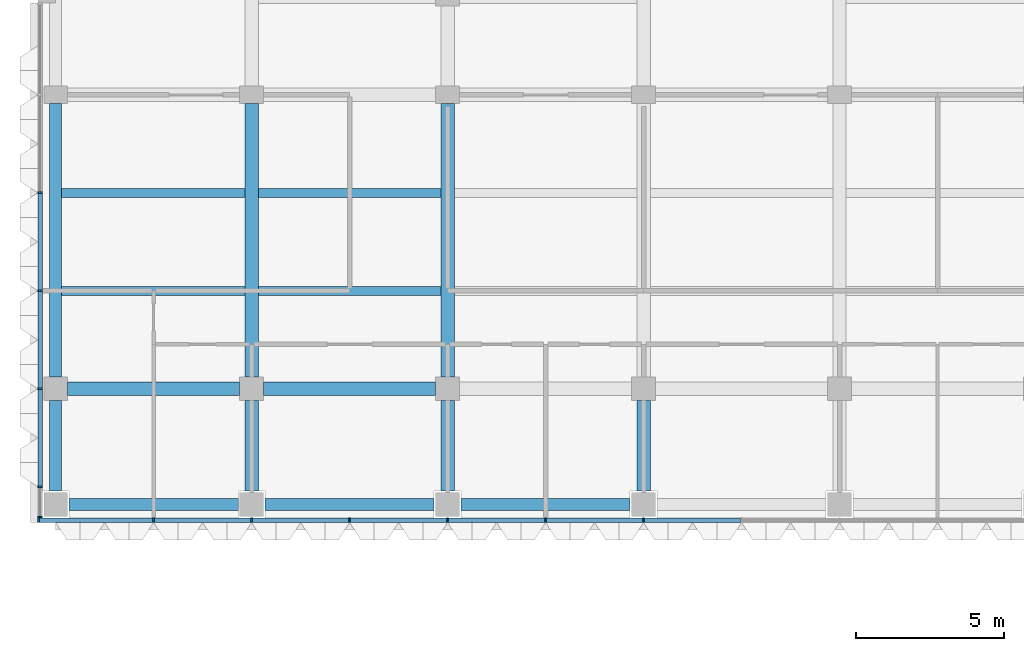
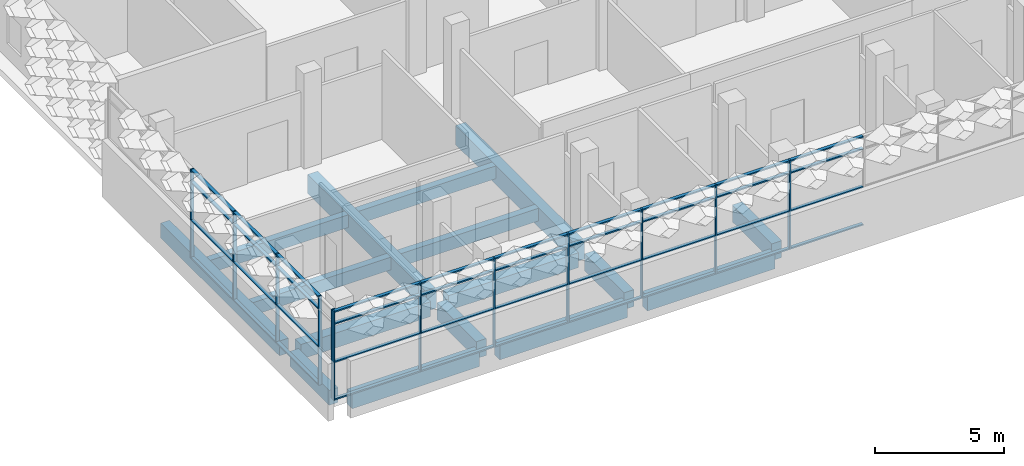
# One storey, part 2 of 102: 52 members, 16 beams, 2 elements without a shape of their own.
"""IFC4 building model written with IfcOpenShell, lengths in metres."""

from ifc_helpers import new_model, si_unit, direction, frame, origin, origin_2d, place, context, subcontext, project, spatial, rectangle, extrude, material, material_profile, profile_set, type_object, element, aggregate, save


model = new_model("IFC4")

# Units and contexts
model_context = context("Model", 3, precision=1e-05, world=origin(), true_north=direction((0.0, 1.0)))
body_context = subcontext(model_context, "Body", "Model", "MODEL_VIEW")
ifc_project = project(units=[si_unit("LENGTHUNIT", "METRE"), si_unit("AREAUNIT", "SQUARE_METRE"), si_unit("VOLUMEUNIT", "CUBIC_METRE"), si_unit("PLANEANGLEUNIT", "RADIAN"), si_unit("MASSUNIT", "GRAM", prefix="KILO")], contexts=[model_context])

# Site, building, storey
site_placement = place(None, origin())
site = spatial("IfcSite", under=ifc_project, at=site_placement, CompositionType="ELEMENT")
building_placement = place(site_placement, origin())
building = spatial("IfcBuilding", under=site, at=building_placement, Name="Lantern Court Research Institute", CompositionType="ELEMENT")
storey_placement = place(building_placement, frame((0.0, 0.0, 9.89990234375)))
storey = spatial("IfcBuildingStorey", under=building, at=storey_placement, Name="L02", CompositionType="ELEMENT", Elevation=9.89990234375)

# Curtain wall, members
ifc_material_1 = material(Name="Aluminium alloy 6063-T6", Category="aluminium")
curtain_wall_type_1 = type_object("IfcCurtainWallType", Name="Curtain wall 52800 x 4200 x 150 aluminium frame", PredefinedType="NOTDEFINED", material=ifc_material_1)
curtain_wall_1_placement = place(storey_placement, origin())
curtain_wall_1 = element("IfcCurtainWall", 1, at=curtain_wall_1_placement, inside=storey, type_object=curtain_wall_type_1, Name="Curtain wall CW041", PredefinedType="NOTDEFINED")
ifc_material_2 = material(Name="Aluminium alloy 6063-T6", Category="aluminium")
ifc_material_profile_1 = material_profile(ifc_material_2, rectangle(XDim=0.14990234375, YDim=0.06005859375, at=origin_2d()), Name="Mullion 150 x 60")
ifc_profile_set_1 = profile_set([ifc_material_profile_1], Name="Aluminium alloy 6063-T6")
member_type_1 = type_object("IfcMemberType", Name="Mullion 150 x 60 aluminium", PredefinedType="MULLION", material=ifc_profile_set_1)
member_1_placement = place(storey_placement, frame((-0.570068359375, -4.425048828125, 0.0), z_axis=(0.0, 0.0, 1.0), x_axis=(0.0, -1.0, 0.0)))
member_1 = element("IfcMember", 2, at=member_1_placement, type_object=member_type_1, Name="CW041 mullion 1", PredefinedType="MULLION", context=body_context, shape_type="SweptSolid", body=[
    extrude(rectangle(XDim=0.14990234375, YDim=0.06005859375, at=origin_2d()), origin(), (0.0, 0.0, 1.0), 4.2001953125),
])
member_2_placement = place(storey_placement, frame((3.300048828125, -4.425048828125, 0.0), z_axis=(0.0, 0.0, 1.0), x_axis=(0.0, -1.0, 0.0)))
member_2 = element("IfcMember", 3, at=member_2_placement, type_object=member_type_1, Name="CW041 mullion 2", PredefinedType="MULLION", context=body_context, shape_type="SweptSolid", body=[
    extrude(rectangle(XDim=0.14990234375, YDim=0.06005859375, at=origin_2d()), origin(), (0.0, 0.0, 1.0), 4.2001953125),
])
member_3_placement = place(storey_placement, frame((6.60009765625, -4.425048828125, 0.0), z_axis=(0.0, 0.0, 1.0), x_axis=(0.0, -1.0, 0.0)))
member_3 = element("IfcMember", 4, at=member_3_placement, type_object=member_type_1, Name="CW041 mullion 3", PredefinedType="MULLION", context=body_context, shape_type="SweptSolid", body=[
    extrude(rectangle(XDim=0.14990234375, YDim=0.06005859375, at=origin_2d()), origin(), (0.0, 0.0, 1.0), 4.2001953125),
])
member_4_placement = place(storey_placement, frame((9.89990234375, -4.425048828125, 0.0), z_axis=(0.0, 0.0, 1.0), x_axis=(0.0, -1.0, 0.0)))
member_4 = element("IfcMember", 5, at=member_4_placement, type_object=member_type_1, Name="CW041 mullion 4", PredefinedType="MULLION", context=body_context, shape_type="SweptSolid", body=[
    extrude(rectangle(XDim=0.14990234375, YDim=0.06005859375, at=origin_2d()), origin(), (0.0, 0.0, 1.0), 4.2001953125),
])
member_5_placement = place(storey_placement, frame((13.199951171875, -4.425048828125, 0.0), z_axis=(0.0, 0.0, 1.0), x_axis=(0.0, -1.0, 0.0)))
member_5 = element("IfcMember", 6, at=member_5_placement, type_object=member_type_1, Name="CW041 mullion 5", PredefinedType="MULLION", context=body_context, shape_type="SweptSolid", body=[
    extrude(rectangle(XDim=0.14990234375, YDim=0.06005859375, at=origin_2d()), origin(), (0.0, 0.0, 1.0), 4.2001953125),
])
member_6_placement = place(storey_placement, frame((16.5, -4.425048828125, 0.0), z_axis=(0.0, 0.0, 1.0), x_axis=(0.0, -1.0, 0.0)))
member_6 = element("IfcMember", 7, at=member_6_placement, type_object=member_type_1, Name="CW041 mullion 6", PredefinedType="MULLION", context=body_context, shape_type="SweptSolid", body=[
    extrude(rectangle(XDim=0.14990234375, YDim=0.06005859375, at=origin_2d()), origin(), (0.0, 0.0, 1.0), 4.2001953125),
])
member_7_placement = place(storey_placement, frame((19.800048828125, -4.425048828125, 0.0), z_axis=(0.0, 0.0, 1.0), x_axis=(0.0, -1.0, 0.0)))
member_7 = element("IfcMember", 8, at=member_7_placement, type_object=member_type_1, Name="CW041 mullion 7", PredefinedType="MULLION", context=body_context, shape_type="SweptSolid", body=[
    extrude(rectangle(XDim=0.14990234375, YDim=0.06005859375, at=origin_2d()), origin(), (0.0, 0.0, 1.0), 4.2001953125),
])

ifc_material_3 = material(Name="Aluminium alloy 6063-T6", Category="aluminium")
curtain_wall_type_2 = type_object("IfcCurtainWallType", Name="Curtain wall 17350 x 4200 x 150 aluminium frame", PredefinedType="NOTDEFINED", material=ifc_material_3)
curtain_wall_2_placement = place(storey_placement, origin())
curtain_wall_2 = element("IfcCurtainWall", 9, at=curtain_wall_2_placement, inside=storey, type_object=curtain_wall_type_2, Name="Curtain wall CW042", PredefinedType="NOTDEFINED")
member_8_placement = place(storey_placement, frame((-0.52490234375, -4.320068359375, 0.0), z_axis=(0.0, 0.0, 1.0), x_axis=(-1.0, 0.0, 0.0)))
member_8 = element("IfcMember", 10, at=member_8_placement, type_object=member_type_1, Name="CW042 mullion 1", PredefinedType="MULLION", context=body_context, shape_type="SweptSolid", body=[
    extrude(rectangle(XDim=0.14990234375, YDim=0.06005859375, at=origin_2d()), origin(), (0.0, 0.0, 1.0), 4.2001953125),
])
member_9_placement = place(storey_placement, frame((-0.52490234375, -3.300048828125, 0.0), z_axis=(0.0, 0.0, 1.0), x_axis=(-1.0, 0.0, 0.0)))
member_9 = element("IfcMember", 11, at=member_9_placement, type_object=member_type_1, Name="CW042 mullion 2", PredefinedType="MULLION", context=body_context, shape_type="SweptSolid", body=[
    extrude(rectangle(XDim=0.14990234375, YDim=0.06005859375, at=origin_2d()), origin(), (0.0, 0.0, 1.0), 4.2001953125),
])
member_10_placement = place(storey_placement, frame((-0.52490234375, 0.0, 0.0), z_axis=(0.0, 0.0, 1.0), x_axis=(-1.0, 0.0, 0.0)))
member_10 = element("IfcMember", 12, at=member_10_placement, type_object=member_type_1, Name="CW042 mullion 3", PredefinedType="MULLION", context=body_context, shape_type="SweptSolid", body=[
    extrude(rectangle(XDim=0.14990234375, YDim=0.06005859375, at=origin_2d()), origin(), (0.0, 0.0, 1.0), 4.2001953125),
])
member_11_placement = place(storey_placement, frame((-0.52490234375, 3.300048828125, 0.0), z_axis=(0.0, 0.0, 1.0), x_axis=(-1.0, 0.0, 0.0)))
member_11 = element("IfcMember", 13, at=member_11_placement, type_object=member_type_1, Name="CW042 mullion 4", PredefinedType="MULLION", context=body_context, shape_type="SweptSolid", body=[
    extrude(rectangle(XDim=0.14990234375, YDim=0.06005859375, at=origin_2d()), origin(), (0.0, 0.0, 1.0), 4.2001953125),
])
member_12_placement = place(storey_placement, frame((-0.52490234375, 6.60009765625, 0.0), z_axis=(0.0, 0.0, 1.0), x_axis=(-1.0, 0.0, 0.0)))
member_12 = element("IfcMember", 14, at=member_12_placement, type_object=member_type_1, Name="CW042 mullion 5", PredefinedType="MULLION", context=body_context, shape_type="SweptSolid", body=[
    extrude(rectangle(XDim=0.14990234375, YDim=0.06005859375, at=origin_2d()), origin(), (0.0, 0.0, 1.0), 4.2001953125),
])

# Beams
ifc_material_4 = material(Name="Concrete C40/50", Category="concrete")
ifc_material_profile_2 = material_profile(ifc_material_4, rectangle(XDim=0.449951171875, YDim=0.699951171875, at=origin_2d()), Name="RC beam 450 x 700")
ifc_profile_set_2 = profile_set([ifc_material_profile_2], Name="Concrete C40/50")
beam_type_1 = type_object("IfcBeamType", Name="RC beam 450 x 700", PredefinedType="BEAM", material=ifc_profile_set_2)
for number, where, z_axis, x_axis, name in (
    (15, (0.39990234375, 0.0, -0.64990234375), (1.0, 0.0, 0.0), (0.0, 1.0, 0.0), "Beam L02 grid A/1-2"),
    (16, (7.0, 0.0, -0.64990234375), (1.0, 0.0, 0.0), (0.0, 1.0, 0.0), "Beam L02 grid A/2-3"),
):
    element("IfcBeam", number, at=place(storey_placement, frame(where, z_axis=z_axis, x_axis=x_axis)), inside=storey, type_object=beam_type_1, Name=name, PredefinedType="BEAM", context=body_context, shape_type="SweptSolid", body=[
        extrude(rectangle(XDim=0.449951171875, YDim=0.699951171875, at=origin_2d()), origin(), (0.0, 0.0, 1.0), 5.800048828125),
    ])
ifc_material_5 = material(Name="Concrete C40/50", Category="concrete")
ifc_material_profile_3 = material_profile(ifc_material_5, rectangle(XDim=0.39990234375, YDim=0.699951171875, at=origin_2d()), Name="RC beam 400 x 700")
ifc_profile_set_3 = profile_set([ifc_material_profile_3], Name="Concrete C40/50")
beam_type_2 = type_object("IfcBeamType", Name="RC edge beam 400 x 700", PredefinedType="BEAM", material=ifc_profile_set_3)
beam_1_placement = place(storey_placement, frame((0.0, -3.449951171875, -0.64990234375), z_axis=(0.0, 1.0, 0.0), x_axis=(-1.0, 0.0, 0.0)))
element("IfcBeam", 17, at=beam_1_placement, inside=storey, type_object=beam_type_2, Name="Edge beam L02 grid 1/Y-A", PredefinedType="BEAM", context=body_context, shape_type="SweptSolid", body=[
    extrude(rectangle(XDim=0.39990234375, YDim=0.699951171875, at=origin_2d()), origin(), (0.0, 0.0, 1.0), 3.050048828125),
])
beam_2_placement = place(storey_placement, frame((0.0, 0.39990234375, -0.64990234375), z_axis=(0.0, 1.0, 0.0), x_axis=(-1.0, 0.0, 0.0)))
element("IfcBeam", 18, at=beam_2_placement, inside=storey, type_object=beam_type_2, Name="Edge beam L02 grid 1/A-B", PredefinedType="BEAM", context=body_context, shape_type="SweptSolid", body=[
    extrude(rectangle(XDim=0.39990234375, YDim=0.699951171875, at=origin_2d()), origin(), (0.0, 0.0, 1.0), 9.2001953125),
])
for number, where, z_axis, x_axis, name in (
    (19, (0.449951171875, -3.89990234375, -0.64990234375), (1.0, 0.0, 0.0), (0.0, 1.0, 0.0), "Edge beam L02 grid Y/1-2"),
    (20, (7.050048828125, -3.89990234375, -0.64990234375), (1.0, 0.0, 0.0), (0.0, 1.0, 0.0), "Edge beam L02 grid Y/2-3"),
):
    element("IfcBeam", number, at=place(storey_placement, frame(where, z_axis=z_axis, x_axis=x_axis)), inside=storey, type_object=beam_type_2, Name=name, PredefinedType="BEAM", context=body_context, shape_type="SweptSolid", body=[
        extrude(rectangle(XDim=0.39990234375, YDim=0.699951171875, at=origin_2d()), origin(), (0.0, 0.0, 1.0), 5.699951171875),
    ])
beam_3_placement = place(storey_placement, frame((13.64990234375, -3.89990234375, -0.64990234375), z_axis=(1.0, 0.0, 0.0), x_axis=(0.0, 1.0, 0.0)))
element("IfcBeam", 21, at=beam_3_placement, inside=storey, type_object=beam_type_2, Name="Edge beam L02 grid Y/3-4", PredefinedType="BEAM", context=body_context, shape_type="SweptSolid", body=[
    extrude(rectangle(XDim=0.39990234375, YDim=0.699951171875, at=origin_2d()), origin(), (0.0, 0.0, 1.0), 5.7001953125),
])
ifc_material_6 = material(Name="Concrete C40/50", Category="concrete")
ifc_material_profile_4 = material_profile(ifc_material_6, rectangle(XDim=0.449951171875, YDim=0.800048828125, at=origin_2d()), Name="RC beam 450 x 800")
ifc_profile_set_4 = profile_set([ifc_material_profile_4], Name="Concrete C40/50")
beam_type_3 = type_object("IfcBeamType", Name="RC girder 450 x 800", PredefinedType="BEAM", material=ifc_profile_set_4)
for number, where, z_axis, x_axis, name in (
    (22, (6.60009765625, -3.449951171875, -0.699951171875), (0.0, 1.0, 0.0), (-1.0, 0.0, 0.0), "Girder L02 grid 2/Y-A"),
    (23, (13.199951171875, -3.449951171875, -0.699951171875), (0.0, 1.0, 0.0), (-1.0, 0.0, 0.0), "Girder L02 grid 3/Y-A"),
    (24, (19.800048828125, -3.449951171875, -0.699951171875), (0.0, 1.0, 0.0), (-1.0, 0.0, 0.0), "Girder L02 grid 4/Y-A"),
):
    element("IfcBeam", number, at=place(storey_placement, frame(where, z_axis=z_axis, x_axis=x_axis)), inside=storey, type_object=beam_type_3, Name=name, PredefinedType="BEAM", context=body_context, shape_type="SweptSolid", body=[
        extrude(rectangle(XDim=0.449951171875, YDim=0.800048828125, at=origin_2d()), origin(), (0.0, 0.0, 1.0), 3.050048828125),
    ])
ifc_material_7 = material(Name="Concrete C40/50", Category="concrete")
ifc_material_profile_5 = material_profile(ifc_material_7, rectangle(XDim=0.449951171875, YDim=0.89990234375, at=origin_2d()), Name="RC beam 450 x 900")
ifc_profile_set_5 = profile_set([ifc_material_profile_5], Name="Concrete C40/50")
beam_type_4 = type_object("IfcBeamType", Name="RC girder 450 x 900", PredefinedType="BEAM", material=ifc_profile_set_5)
for number, where, z_axis, x_axis, name in (
    (25, (6.60009765625, 0.39990234375, -0.75), (0.0, 1.0, 0.0), (-1.0, 0.0, 0.0), "Girder L02 grid 2/A-B"),
    (26, (13.199951171875, 0.39990234375, -0.75), (0.0, 1.0, 0.0), (-1.0, 0.0, 0.0), "Girder L02 grid 3/A-B"),
):
    element("IfcBeam", number, at=place(storey_placement, frame(where, z_axis=z_axis, x_axis=x_axis)), inside=storey, type_object=beam_type_4, Name=name, PredefinedType="BEAM", context=body_context, shape_type="SweptSolid", body=[
        extrude(rectangle(XDim=0.449951171875, YDim=0.89990234375, at=origin_2d()), origin(), (0.0, 0.0, 1.0), 9.2001953125),
    ])
ifc_material_8 = material(Name="Concrete C40/50", Category="concrete")
ifc_material_profile_6 = material_profile(ifc_material_8, rectangle(XDim=0.300048828125, YDim=0.60009765625, at=origin_2d()), Name="RC beam 300 x 600")
ifc_profile_set_6 = profile_set([ifc_material_profile_6], Name="Concrete C40/50")
beam_type_5 = type_object("IfcBeamType", Name="RC secondary beam 300 x 600", PredefinedType="BEAM", material=ifc_profile_set_6)
beam_4_placement = place(storey_placement, frame((0.199951171875, 3.300048828125, -0.599853515625), z_axis=(1.0, 0.0, 0.0), x_axis=(0.0, 1.0, 0.0)))
element("IfcBeam", 27, at=beam_4_placement, inside=storey, type_object=beam_type_5, Name="Secondary beam L02 grids 1-2 / A-B, line 1", PredefinedType="BEAM", context=body_context, shape_type="SweptSolid", body=[
    extrude(rectangle(XDim=0.300048828125, YDim=0.60009765625, at=origin_2d()), origin(), (0.0, 0.0, 1.0), 6.175048828125),
])
beam_5_placement = place(storey_placement, frame((6.824951171875, 3.300048828125, -0.599853515625), z_axis=(1.0, 0.0, 0.0), x_axis=(0.0, 1.0, 0.0)))
element("IfcBeam", 28, at=beam_5_placement, inside=storey, type_object=beam_type_5, Name="Secondary beam L02 grids 2-3 / A-B, line 1", PredefinedType="BEAM", context=body_context, shape_type="SweptSolid", body=[
    extrude(rectangle(XDim=0.300048828125, YDim=0.60009765625, at=origin_2d()), origin(), (0.0, 0.0, 1.0), 6.150146484375),
])
beam_6_placement = place(storey_placement, frame((0.199951171875, 6.60009765625, -0.599853515625), z_axis=(1.0, 0.0, 0.0), x_axis=(0.0, 1.0, 0.0)))
element("IfcBeam", 29, at=beam_6_placement, inside=storey, type_object=beam_type_5, Name="Secondary beam L02 grids 1-2 / A-B, line 2", PredefinedType="BEAM", context=body_context, shape_type="SweptSolid", body=[
    extrude(rectangle(XDim=0.300048828125, YDim=0.60009765625, at=origin_2d()), origin(), (0.0, 0.0, 1.0), 6.175048828125),
])
beam_7_placement = place(storey_placement, frame((6.824951171875, 6.60009765625, -0.599853515625), z_axis=(1.0, 0.0, 0.0), x_axis=(0.0, 1.0, 0.0)))
element("IfcBeam", 30, at=beam_7_placement, inside=storey, type_object=beam_type_5, Name="Secondary beam L02 grids 2-3 / A-B, line 2", PredefinedType="BEAM", context=body_context, shape_type="SweptSolid", body=[
    extrude(rectangle(XDim=0.300048828125, YDim=0.60009765625, at=origin_2d()), origin(), (0.0, 0.0, 1.0), 6.150146484375),
])

# Member
ifc_material_9 = material(Name="Aluminium alloy 6063-T6", Category="aluminium")
ifc_material_profile_7 = material_profile(ifc_material_9, rectangle(XDim=0.14990234375, YDim=0.06005859375, at=origin_2d()), Name="Transom 150 x 60")
ifc_profile_set_7 = profile_set([ifc_material_profile_7], Name="Aluminium alloy 6063-T6")
member_type_2 = type_object("IfcMemberType", Name="Transom 150 x 60 aluminium", PredefinedType="USERDEFINED", material=ifc_profile_set_7)
member_13_placement = place(storey_placement, frame((3.27001953125, -4.425048828125, 0.030029296875), z_axis=(-1.0, 0.0, 0.0), x_axis=(0.0, -1.0, 0.0)))
member_13 = element("IfcMember", 31, at=member_13_placement, type_object=member_type_2, Name="CW041 transom 1.1", ObjectType="TRANSOM", PredefinedType="USERDEFINED", context=body_context, shape_type="SweptSolid", body=[
    extrude(rectangle(XDim=0.14990234375, YDim=0.06005859375, at=origin_2d()), origin(), (0.0, 0.0, 1.0), 3.81005859375),
])

member_14_placement = place(storey_placement, frame((3.27001953125, -4.425048828125, 1.800048828125), z_axis=(-1.0, 0.0, 0.0), x_axis=(0.0, -1.0, 0.0)))
member_14 = element("IfcMember", 32, at=member_14_placement, type_object=member_type_2, Name="CW041 transom 1.2", ObjectType="TRANSOM", PredefinedType="USERDEFINED", context=body_context, shape_type="SweptSolid", body=[
    extrude(rectangle(XDim=0.14990234375, YDim=0.06005859375, at=origin_2d()), origin(), (0.0, 0.0, 1.0), 3.81005859375),
])

member_15_placement = place(storey_placement, frame((3.27001953125, -4.425048828125, 3.60009765625), z_axis=(-1.0, 0.0, 0.0), x_axis=(0.0, -1.0, 0.0)))
member_15 = element("IfcMember", 33, at=member_15_placement, type_object=member_type_2, Name="CW041 transom 1.3", ObjectType="TRANSOM", PredefinedType="USERDEFINED", context=body_context, shape_type="SweptSolid", body=[
    extrude(rectangle(XDim=0.14990234375, YDim=0.06005859375, at=origin_2d()), origin(), (0.0, 0.0, 1.0), 3.81005859375),
])

member_16_placement = place(storey_placement, frame((3.27001953125, -4.425048828125, 4.170166015625), z_axis=(-1.0, 0.0, 0.0), x_axis=(0.0, -1.0, 0.0)))
member_16 = element("IfcMember", 34, at=member_16_placement, type_object=member_type_2, Name="CW041 transom 1.4", ObjectType="TRANSOM", PredefinedType="USERDEFINED", context=body_context, shape_type="SweptSolid", body=[
    extrude(rectangle(XDim=0.14990234375, YDim=0.06005859375, at=origin_2d()), origin(), (0.0, 0.0, 1.0), 3.81005859375),
])

member_17_placement = place(storey_placement, frame((6.570068359375, -4.425048828125, 0.030029296875), z_axis=(-1.0, 0.0, 0.0), x_axis=(0.0, -1.0, 0.0)))
member_17 = element("IfcMember", 35, at=member_17_placement, type_object=member_type_2, Name="CW041 transom 2.1", ObjectType="TRANSOM", PredefinedType="USERDEFINED", context=body_context, shape_type="SweptSolid", body=[
    extrude(rectangle(XDim=0.14990234375, YDim=0.06005859375, at=origin_2d()), origin(), (0.0, 0.0, 1.0), 3.239990234375),
])

member_18_placement = place(storey_placement, frame((6.570068359375, -4.425048828125, 1.800048828125), z_axis=(-1.0, 0.0, 0.0), x_axis=(0.0, -1.0, 0.0)))
member_18 = element("IfcMember", 36, at=member_18_placement, type_object=member_type_2, Name="CW041 transom 2.2", ObjectType="TRANSOM", PredefinedType="USERDEFINED", context=body_context, shape_type="SweptSolid", body=[
    extrude(rectangle(XDim=0.14990234375, YDim=0.06005859375, at=origin_2d()), origin(), (0.0, 0.0, 1.0), 3.239990234375),
])

member_19_placement = place(storey_placement, frame((6.570068359375, -4.425048828125, 3.60009765625), z_axis=(-1.0, 0.0, 0.0), x_axis=(0.0, -1.0, 0.0)))
member_19 = element("IfcMember", 37, at=member_19_placement, type_object=member_type_2, Name="CW041 transom 2.3", ObjectType="TRANSOM", PredefinedType="USERDEFINED", context=body_context, shape_type="SweptSolid", body=[
    extrude(rectangle(XDim=0.14990234375, YDim=0.06005859375, at=origin_2d()), origin(), (0.0, 0.0, 1.0), 3.239990234375),
])

member_20_placement = place(storey_placement, frame((6.570068359375, -4.425048828125, 4.170166015625), z_axis=(-1.0, 0.0, 0.0), x_axis=(0.0, -1.0, 0.0)))
member_20 = element("IfcMember", 38, at=member_20_placement, type_object=member_type_2, Name="CW041 transom 2.4", ObjectType="TRANSOM", PredefinedType="USERDEFINED", context=body_context, shape_type="SweptSolid", body=[
    extrude(rectangle(XDim=0.14990234375, YDim=0.06005859375, at=origin_2d()), origin(), (0.0, 0.0, 1.0), 3.239990234375),
])

member_21_placement = place(storey_placement, frame((9.8701171875, -4.425048828125, 0.030029296875), z_axis=(-1.0, 0.0, 0.0), x_axis=(0.0, -1.0, 0.0)))
member_21 = element("IfcMember", 39, at=member_21_placement, type_object=member_type_2, Name="CW041 transom 3.1", ObjectType="TRANSOM", PredefinedType="USERDEFINED", context=body_context, shape_type="SweptSolid", body=[
    extrude(rectangle(XDim=0.14990234375, YDim=0.06005859375, at=origin_2d()), origin(), (0.0, 0.0, 1.0), 3.240234375),
])

member_22_placement = place(storey_placement, frame((9.8701171875, -4.425048828125, 1.800048828125), z_axis=(-1.0, 0.0, 0.0), x_axis=(0.0, -1.0, 0.0)))
member_22 = element("IfcMember", 40, at=member_22_placement, type_object=member_type_2, Name="CW041 transom 3.2", ObjectType="TRANSOM", PredefinedType="USERDEFINED", context=body_context, shape_type="SweptSolid", body=[
    extrude(rectangle(XDim=0.14990234375, YDim=0.06005859375, at=origin_2d()), origin(), (0.0, 0.0, 1.0), 3.240234375),
])

member_23_placement = place(storey_placement, frame((9.8701171875, -4.425048828125, 3.60009765625), z_axis=(-1.0, 0.0, 0.0), x_axis=(0.0, -1.0, 0.0)))
member_23 = element("IfcMember", 41, at=member_23_placement, type_object=member_type_2, Name="CW041 transom 3.3", ObjectType="TRANSOM", PredefinedType="USERDEFINED", context=body_context, shape_type="SweptSolid", body=[
    extrude(rectangle(XDim=0.14990234375, YDim=0.06005859375, at=origin_2d()), origin(), (0.0, 0.0, 1.0), 3.240234375),
])

member_24_placement = place(storey_placement, frame((9.8701171875, -4.425048828125, 4.170166015625), z_axis=(-1.0, 0.0, 0.0), x_axis=(0.0, -1.0, 0.0)))
member_24 = element("IfcMember", 42, at=member_24_placement, type_object=member_type_2, Name="CW041 transom 3.4", ObjectType="TRANSOM", PredefinedType="USERDEFINED", context=body_context, shape_type="SweptSolid", body=[
    extrude(rectangle(XDim=0.14990234375, YDim=0.06005859375, at=origin_2d()), origin(), (0.0, 0.0, 1.0), 3.240234375),
])

member_25_placement = place(storey_placement, frame((13.169921875, -4.425048828125, 0.030029296875), z_axis=(-1.0, 0.0, 0.0), x_axis=(0.0, -1.0, 0.0)))
member_25 = element("IfcMember", 43, at=member_25_placement, type_object=member_type_2, Name="CW041 transom 4.1", ObjectType="TRANSOM", PredefinedType="USERDEFINED", context=body_context, shape_type="SweptSolid", body=[
    extrude(rectangle(XDim=0.14990234375, YDim=0.06005859375, at=origin_2d()), origin(), (0.0, 0.0, 1.0), 3.239990234375),
])

member_26_placement = place(storey_placement, frame((13.169921875, -4.425048828125, 1.800048828125), z_axis=(-1.0, 0.0, 0.0), x_axis=(0.0, -1.0, 0.0)))
member_26 = element("IfcMember", 44, at=member_26_placement, type_object=member_type_2, Name="CW041 transom 4.2", ObjectType="TRANSOM", PredefinedType="USERDEFINED", context=body_context, shape_type="SweptSolid", body=[
    extrude(rectangle(XDim=0.14990234375, YDim=0.06005859375, at=origin_2d()), origin(), (0.0, 0.0, 1.0), 3.239990234375),
])

member_27_placement = place(storey_placement, frame((13.169921875, -4.425048828125, 3.60009765625), z_axis=(-1.0, 0.0, 0.0), x_axis=(0.0, -1.0, 0.0)))
member_27 = element("IfcMember", 45, at=member_27_placement, type_object=member_type_2, Name="CW041 transom 4.3", ObjectType="TRANSOM", PredefinedType="USERDEFINED", context=body_context, shape_type="SweptSolid", body=[
    extrude(rectangle(XDim=0.14990234375, YDim=0.06005859375, at=origin_2d()), origin(), (0.0, 0.0, 1.0), 3.239990234375),
])

member_28_placement = place(storey_placement, frame((13.169921875, -4.425048828125, 4.170166015625), z_axis=(-1.0, 0.0, 0.0), x_axis=(0.0, -1.0, 0.0)))
member_28 = element("IfcMember", 46, at=member_28_placement, type_object=member_type_2, Name="CW041 transom 4.4", ObjectType="TRANSOM", PredefinedType="USERDEFINED", context=body_context, shape_type="SweptSolid", body=[
    extrude(rectangle(XDim=0.14990234375, YDim=0.06005859375, at=origin_2d()), origin(), (0.0, 0.0, 1.0), 3.239990234375),
])

member_29_placement = place(storey_placement, frame((16.469970703125, -4.425048828125, 0.030029296875), z_axis=(-1.0, 0.0, 0.0), x_axis=(0.0, -1.0, 0.0)))
member_29 = element("IfcMember", 47, at=member_29_placement, type_object=member_type_2, Name="CW041 transom 5.1", ObjectType="TRANSOM", PredefinedType="USERDEFINED", context=body_context, shape_type="SweptSolid", body=[
    extrude(rectangle(XDim=0.14990234375, YDim=0.06005859375, at=origin_2d()), origin(), (0.0, 0.0, 1.0), 3.239990234375),
])

member_30_placement = place(storey_placement, frame((16.469970703125, -4.425048828125, 1.800048828125), z_axis=(-1.0, 0.0, 0.0), x_axis=(0.0, -1.0, 0.0)))
member_30 = element("IfcMember", 48, at=member_30_placement, type_object=member_type_2, Name="CW041 transom 5.2", ObjectType="TRANSOM", PredefinedType="USERDEFINED", context=body_context, shape_type="SweptSolid", body=[
    extrude(rectangle(XDim=0.14990234375, YDim=0.06005859375, at=origin_2d()), origin(), (0.0, 0.0, 1.0), 3.239990234375),
])

member_31_placement = place(storey_placement, frame((16.469970703125, -4.425048828125, 3.60009765625), z_axis=(-1.0, 0.0, 0.0), x_axis=(0.0, -1.0, 0.0)))
member_31 = element("IfcMember", 49, at=member_31_placement, type_object=member_type_2, Name="CW041 transom 5.3", ObjectType="TRANSOM", PredefinedType="USERDEFINED", context=body_context, shape_type="SweptSolid", body=[
    extrude(rectangle(XDim=0.14990234375, YDim=0.06005859375, at=origin_2d()), origin(), (0.0, 0.0, 1.0), 3.239990234375),
])

member_32_placement = place(storey_placement, frame((16.469970703125, -4.425048828125, 4.170166015625), z_axis=(-1.0, 0.0, 0.0), x_axis=(0.0, -1.0, 0.0)))
member_32 = element("IfcMember", 50, at=member_32_placement, type_object=member_type_2, Name="CW041 transom 5.4", ObjectType="TRANSOM", PredefinedType="USERDEFINED", context=body_context, shape_type="SweptSolid", body=[
    extrude(rectangle(XDim=0.14990234375, YDim=0.06005859375, at=origin_2d()), origin(), (0.0, 0.0, 1.0), 3.239990234375),
])

member_33_placement = place(storey_placement, frame((19.77001953125, -4.425048828125, 0.030029296875), z_axis=(-1.0, 0.0, 0.0), x_axis=(0.0, -1.0, 0.0)))
member_33 = element("IfcMember", 51, at=member_33_placement, type_object=member_type_2, Name="CW041 transom 6.1", ObjectType="TRANSOM", PredefinedType="USERDEFINED", context=body_context, shape_type="SweptSolid", body=[
    extrude(rectangle(XDim=0.14990234375, YDim=0.06005859375, at=origin_2d()), origin(), (0.0, 0.0, 1.0), 3.239990234375),
])

member_34_placement = place(storey_placement, frame((19.77001953125, -4.425048828125, 1.800048828125), z_axis=(-1.0, 0.0, 0.0), x_axis=(0.0, -1.0, 0.0)))
member_34 = element("IfcMember", 52, at=member_34_placement, type_object=member_type_2, Name="CW041 transom 6.2", ObjectType="TRANSOM", PredefinedType="USERDEFINED", context=body_context, shape_type="SweptSolid", body=[
    extrude(rectangle(XDim=0.14990234375, YDim=0.06005859375, at=origin_2d()), origin(), (0.0, 0.0, 1.0), 3.239990234375),
])

member_35_placement = place(storey_placement, frame((19.77001953125, -4.425048828125, 3.60009765625), z_axis=(-1.0, 0.0, 0.0), x_axis=(0.0, -1.0, 0.0)))
member_35 = element("IfcMember", 53, at=member_35_placement, type_object=member_type_2, Name="CW041 transom 6.3", ObjectType="TRANSOM", PredefinedType="USERDEFINED", context=body_context, shape_type="SweptSolid", body=[
    extrude(rectangle(XDim=0.14990234375, YDim=0.06005859375, at=origin_2d()), origin(), (0.0, 0.0, 1.0), 3.239990234375),
])

member_36_placement = place(storey_placement, frame((19.77001953125, -4.425048828125, 4.170166015625), z_axis=(-1.0, 0.0, 0.0), x_axis=(0.0, -1.0, 0.0)))
member_36 = element("IfcMember", 54, at=member_36_placement, type_object=member_type_2, Name="CW041 transom 6.4", ObjectType="TRANSOM", PredefinedType="USERDEFINED", context=body_context, shape_type="SweptSolid", body=[
    extrude(rectangle(XDim=0.14990234375, YDim=0.06005859375, at=origin_2d()), origin(), (0.0, 0.0, 1.0), 3.239990234375),
])

member_37_placement = place(storey_placement, frame((23.070068359375, -4.425048828125, 0.030029296875), z_axis=(-1.0, 0.0, 0.0), x_axis=(0.0, -1.0, 0.0)))
member_37 = element("IfcMember", 55, at=member_37_placement, type_object=member_type_2, Name="CW041 transom 7.1", ObjectType="TRANSOM", PredefinedType="USERDEFINED", context=body_context, shape_type="SweptSolid", body=[
    extrude(rectangle(XDim=0.14990234375, YDim=0.06005859375, at=origin_2d()), origin(), (0.0, 0.0, 1.0), 3.239990234375),
])

member_38_placement = place(storey_placement, frame((23.070068359375, -4.425048828125, 1.800048828125), z_axis=(-1.0, 0.0, 0.0), x_axis=(0.0, -1.0, 0.0)))
member_38 = element("IfcMember", 56, at=member_38_placement, type_object=member_type_2, Name="CW041 transom 7.2", ObjectType="TRANSOM", PredefinedType="USERDEFINED", context=body_context, shape_type="SweptSolid", body=[
    extrude(rectangle(XDim=0.14990234375, YDim=0.06005859375, at=origin_2d()), origin(), (0.0, 0.0, 1.0), 3.239990234375),
])

member_39_placement = place(storey_placement, frame((23.070068359375, -4.425048828125, 3.60009765625), z_axis=(-1.0, 0.0, 0.0), x_axis=(0.0, -1.0, 0.0)))
member_39 = element("IfcMember", 57, at=member_39_placement, type_object=member_type_2, Name="CW041 transom 7.3", ObjectType="TRANSOM", PredefinedType="USERDEFINED", context=body_context, shape_type="SweptSolid", body=[
    extrude(rectangle(XDim=0.14990234375, YDim=0.06005859375, at=origin_2d()), origin(), (0.0, 0.0, 1.0), 3.239990234375),
])

member_40_placement = place(storey_placement, frame((23.070068359375, -4.425048828125, 4.170166015625), z_axis=(-1.0, 0.0, 0.0), x_axis=(0.0, -1.0, 0.0)))
member_40 = element("IfcMember", 58, at=member_40_placement, type_object=member_type_2, Name="CW041 transom 7.4", ObjectType="TRANSOM", PredefinedType="USERDEFINED", context=body_context, shape_type="SweptSolid", body=[
    extrude(rectangle(XDim=0.14990234375, YDim=0.06005859375, at=origin_2d()), origin(), (0.0, 0.0, 1.0), 3.239990234375),
])

aggregate(curtain_wall_1, [member_1, member_2, member_3, member_4, member_5, member_6, member_7, member_13, member_14, member_15, member_16, member_17, member_18, member_19, member_20, member_21, member_22, member_23, member_24, member_25, member_26, member_27, member_28, member_29, member_30, member_31, member_32, member_33, member_34, member_35, member_36, member_37, member_38, member_39, member_40])

member_41_placement = place(storey_placement, frame((-0.52490234375, -3.27001953125, 0.030029296875), z_axis=(0.0, 1.0, 0.0), x_axis=(-1.0, 0.0, 0.0)))
member_41 = element("IfcMember", 59, at=member_41_placement, type_object=member_type_2, Name="CW042 transom 2.1", ObjectType="TRANSOM", PredefinedType="USERDEFINED", context=body_context, shape_type="SweptSolid", body=[
    extrude(rectangle(XDim=0.14990234375, YDim=0.06005859375, at=origin_2d()), origin(), (0.0, 0.0, 1.0), 3.239990234375),
])

member_42_placement = place(storey_placement, frame((-0.52490234375, -3.27001953125, 1.800048828125), z_axis=(0.0, 1.0, 0.0), x_axis=(-1.0, 0.0, 0.0)))
member_42 = element("IfcMember", 60, at=member_42_placement, type_object=member_type_2, Name="CW042 transom 2.2", ObjectType="TRANSOM", PredefinedType="USERDEFINED", context=body_context, shape_type="SweptSolid", body=[
    extrude(rectangle(XDim=0.14990234375, YDim=0.06005859375, at=origin_2d()), origin(), (0.0, 0.0, 1.0), 3.239990234375),
])

member_43_placement = place(storey_placement, frame((-0.52490234375, -3.27001953125, 3.60009765625), z_axis=(0.0, 1.0, 0.0), x_axis=(-1.0, 0.0, 0.0)))
member_43 = element("IfcMember", 61, at=member_43_placement, type_object=member_type_2, Name="CW042 transom 2.3", ObjectType="TRANSOM", PredefinedType="USERDEFINED", context=body_context, shape_type="SweptSolid", body=[
    extrude(rectangle(XDim=0.14990234375, YDim=0.06005859375, at=origin_2d()), origin(), (0.0, 0.0, 1.0), 3.239990234375),
])

member_44_placement = place(storey_placement, frame((-0.52490234375, -3.27001953125, 4.170166015625), z_axis=(0.0, 1.0, 0.0), x_axis=(-1.0, 0.0, 0.0)))
member_44 = element("IfcMember", 62, at=member_44_placement, type_object=member_type_2, Name="CW042 transom 2.4", ObjectType="TRANSOM", PredefinedType="USERDEFINED", context=body_context, shape_type="SweptSolid", body=[
    extrude(rectangle(XDim=0.14990234375, YDim=0.06005859375, at=origin_2d()), origin(), (0.0, 0.0, 1.0), 3.239990234375),
])

member_45_placement = place(storey_placement, frame((-0.52490234375, 0.030029296875, 0.030029296875), z_axis=(0.0, 1.0, 0.0), x_axis=(-1.0, 0.0, 0.0)))
member_45 = element("IfcMember", 63, at=member_45_placement, type_object=member_type_2, Name="CW042 transom 3.1", ObjectType="TRANSOM", PredefinedType="USERDEFINED", context=body_context, shape_type="SweptSolid", body=[
    extrude(rectangle(XDim=0.14990234375, YDim=0.06005859375, at=origin_2d()), origin(), (0.0, 0.0, 1.0), 3.239990234375),
])

member_46_placement = place(storey_placement, frame((-0.52490234375, 0.030029296875, 1.800048828125), z_axis=(0.0, 1.0, 0.0), x_axis=(-1.0, 0.0, 0.0)))
member_46 = element("IfcMember", 64, at=member_46_placement, type_object=member_type_2, Name="CW042 transom 3.2", ObjectType="TRANSOM", PredefinedType="USERDEFINED", context=body_context, shape_type="SweptSolid", body=[
    extrude(rectangle(XDim=0.14990234375, YDim=0.06005859375, at=origin_2d()), origin(), (0.0, 0.0, 1.0), 3.239990234375),
])

member_47_placement = place(storey_placement, frame((-0.52490234375, 0.030029296875, 3.60009765625), z_axis=(0.0, 1.0, 0.0), x_axis=(-1.0, 0.0, 0.0)))
member_47 = element("IfcMember", 65, at=member_47_placement, type_object=member_type_2, Name="CW042 transom 3.3", ObjectType="TRANSOM", PredefinedType="USERDEFINED", context=body_context, shape_type="SweptSolid", body=[
    extrude(rectangle(XDim=0.14990234375, YDim=0.06005859375, at=origin_2d()), origin(), (0.0, 0.0, 1.0), 3.239990234375),
])

member_48_placement = place(storey_placement, frame((-0.52490234375, 0.030029296875, 4.170166015625), z_axis=(0.0, 1.0, 0.0), x_axis=(-1.0, 0.0, 0.0)))
member_48 = element("IfcMember", 66, at=member_48_placement, type_object=member_type_2, Name="CW042 transom 3.4", ObjectType="TRANSOM", PredefinedType="USERDEFINED", context=body_context, shape_type="SweptSolid", body=[
    extrude(rectangle(XDim=0.14990234375, YDim=0.06005859375, at=origin_2d()), origin(), (0.0, 0.0, 1.0), 3.239990234375),
])

member_49_placement = place(storey_placement, frame((-0.52490234375, 3.330078125, 0.030029296875), z_axis=(0.0, 1.0, 0.0), x_axis=(-1.0, 0.0, 0.0)))
member_49 = element("IfcMember", 67, at=member_49_placement, type_object=member_type_2, Name="CW042 transom 4.1", ObjectType="TRANSOM", PredefinedType="USERDEFINED", context=body_context, shape_type="SweptSolid", body=[
    extrude(rectangle(XDim=0.14990234375, YDim=0.06005859375, at=origin_2d()), origin(), (0.0, 0.0, 1.0), 3.239990234375),
])

member_50_placement = place(storey_placement, frame((-0.52490234375, 3.330078125, 1.800048828125), z_axis=(0.0, 1.0, 0.0), x_axis=(-1.0, 0.0, 0.0)))
member_50 = element("IfcMember", 68, at=member_50_placement, type_object=member_type_2, Name="CW042 transom 4.2", ObjectType="TRANSOM", PredefinedType="USERDEFINED", context=body_context, shape_type="SweptSolid", body=[
    extrude(rectangle(XDim=0.14990234375, YDim=0.06005859375, at=origin_2d()), origin(), (0.0, 0.0, 1.0), 3.239990234375),
])

member_51_placement = place(storey_placement, frame((-0.52490234375, 3.330078125, 3.60009765625), z_axis=(0.0, 1.0, 0.0), x_axis=(-1.0, 0.0, 0.0)))
member_51 = element("IfcMember", 69, at=member_51_placement, type_object=member_type_2, Name="CW042 transom 4.3", ObjectType="TRANSOM", PredefinedType="USERDEFINED", context=body_context, shape_type="SweptSolid", body=[
    extrude(rectangle(XDim=0.14990234375, YDim=0.06005859375, at=origin_2d()), origin(), (0.0, 0.0, 1.0), 3.239990234375),
])

member_52_placement = place(storey_placement, frame((-0.52490234375, 3.330078125, 4.170166015625), z_axis=(0.0, 1.0, 0.0), x_axis=(-1.0, 0.0, 0.0)))
member_52 = element("IfcMember", 70, at=member_52_placement, type_object=member_type_2, Name="CW042 transom 4.4", ObjectType="TRANSOM", PredefinedType="USERDEFINED", context=body_context, shape_type="SweptSolid", body=[
    extrude(rectangle(XDim=0.14990234375, YDim=0.06005859375, at=origin_2d()), origin(), (0.0, 0.0, 1.0), 3.239990234375),
])

aggregate(curtain_wall_2, [member_8, member_9, member_10, member_11, member_12, member_41, member_42, member_43, member_44, member_45, member_46, member_47, member_48, member_49, member_50, member_51, member_52])

save(model, "model.ifc")
